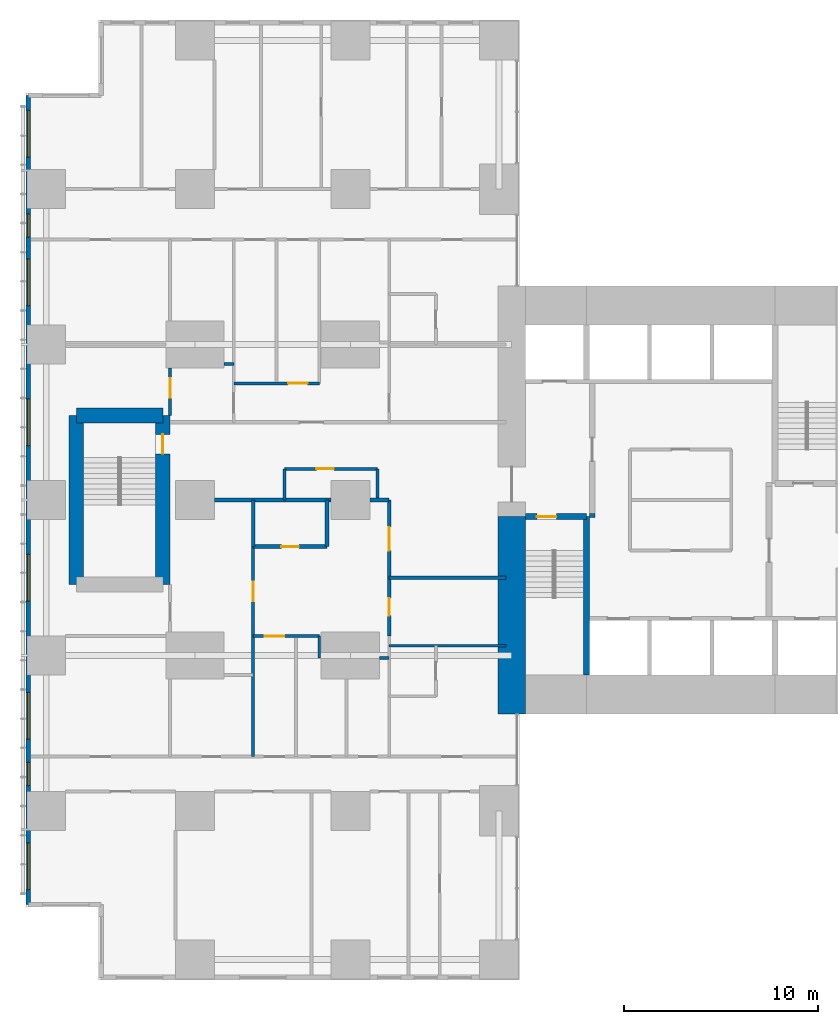
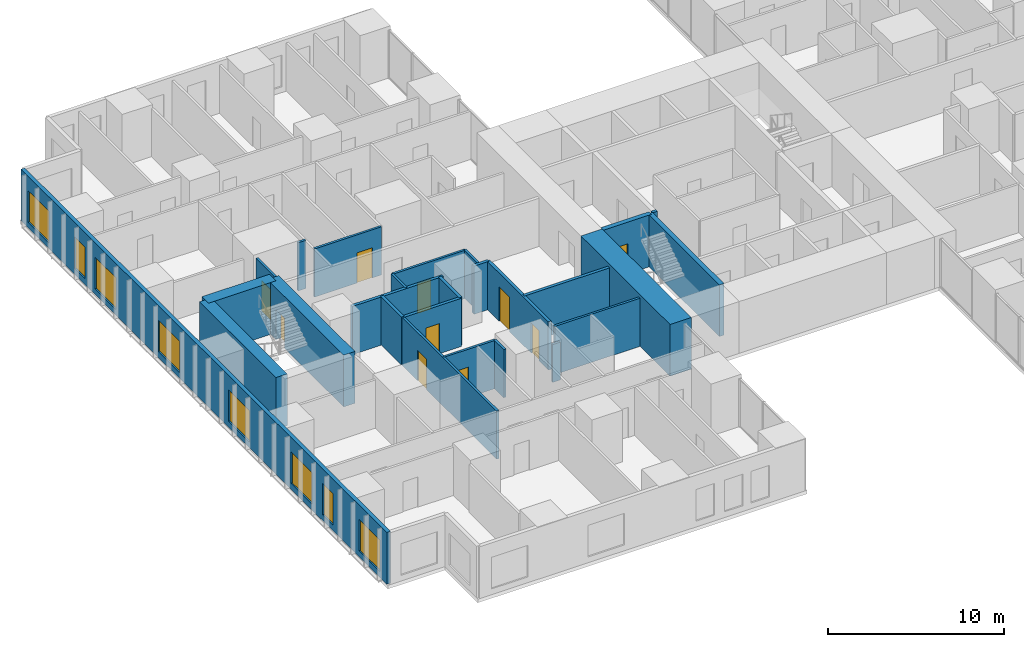
# One storey, part 13 of 20: 26 walls, 10 doors, 8 windows, 18 openings.
"""IFC4 building model written with IfcOpenShell, lengths in metres."""

from ifc_helpers import new_model, si_unit, direction, frame, frame_2d, origin, place, context, subcontext, project, spatial, rectangle, extrude, material, layer, layer_set, type_object, element, fill, save


model = new_model("IFC4")

# Units and contexts
model_context = context("Model", 3, precision=1e-05, world=origin(), true_north=direction((0.0, 1.0)))
body_context = subcontext(model_context, "Body", "Model", "MODEL_VIEW")
ifc_project = project(units=[si_unit("LENGTHUNIT", "METRE"), si_unit("AREAUNIT", "SQUARE_METRE"), si_unit("VOLUMEUNIT", "CUBIC_METRE"), si_unit("PLANEANGLEUNIT", "RADIAN"), si_unit("MASSUNIT", "GRAM", prefix="KILO")], contexts=[model_context])

# Site, building, storey
site_placement = place(None, origin())
site = spatial("IfcSite", under=ifc_project, at=site_placement, CompositionType="ELEMENT")
building_placement = place(site_placement, origin())
building = spatial("IfcBuilding", under=site, at=building_placement, Name="Cleftline Residences", CompositionType="ELEMENT")
storey_placement = place(building_placement, frame((0.0, 0.0, 99.800048828125)))
storey = spatial("IfcBuildingStorey", under=building, at=storey_placement, Name="L25", CompositionType="ELEMENT", Elevation=99.800048828125)

# Walls
ifc_material_1 = material(Name="Concrete B70", Category="concrete")
ifc_layer_1 = layer(ifc_material_1, 1.39990234375)
ifc_layer_set_1 = layer_set([ifc_layer_1], Name="CORE WALL 1400")
wall_type_1 = type_object("IfcWallType", Name="CORE WALL 1400", PredefinedType="SHEAR", material=ifc_layer_set_1)
wall_1_placement = place(storey_placement, frame((24.300048828125, 13.0, 0.0), z_axis=(0.0, 0.0, 1.0), x_axis=(0.0, 1.0, 0.0)))
element("IfcWall", 1, at=wall_1_placement, inside=storey, type_object=wall_type_1, Name="Core wall W0", PredefinedType="SHEAR", context=body_context, shape_type="SweptSolid", body=[
    extrude(rectangle(XDim=10.14990234375, YDim=1.39990234375, at=frame_2d((5.074951171875, 0.0))), origin(), (0.0, 0.0, 1.0), 3.599853515625),
])
ifc_material_2 = material(Name="Concrete B70", Category="concrete")
ifc_layer_2 = layer(ifc_material_2, 0.300048828125)
ifc_layer_set_2 = layer_set([ifc_layer_2], Name="CORE WALL 300")
wall_type_2 = type_object("IfcWallType", Name="CORE WALL 300", PredefinedType="SHEAR", material=ifc_layer_set_2)
wall_2_placement = place(storey_placement, frame((28.14990234375, 15.0, 0.0), z_axis=(0.0, 0.0, 1.0), x_axis=(0.0, 1.0, 0.0)))
element("IfcWall", 2, at=wall_2_placement, inside=storey, type_object=wall_type_2, Name="Core wall SA-E", PredefinedType="SHEAR", context=body_context, shape_type="SweptSolid", body=[
    extrude(rectangle(XDim=8.14990234375, YDim=0.300048828125, at=frame_2d((4.074951171875, 0.0))), origin(), (0.0, 0.0, 1.0), 3.599853515625),
])

# Wall, opening, door
wall_3_placement = place(storey_placement, frame((25.0, 23.14990234375, 0.0), z_axis=(0.0, 0.0, 1.0), x_axis=(1.0, 0.0, 0.0)))
wall_3 = element("IfcWall", 3, at=wall_3_placement, inside=storey, type_object=wall_type_2, Name="Core wall SA-N", PredefinedType="SHEAR", context=body_context, shape_type="SweptSolid", body=[
    extrude(rectangle(XDim=3.14990234375, YDim=0.300048828125, at=frame_2d((1.574951171875, 0.0))), origin(), (0.0, 0.0, 1.0), 3.599853515625),
])
opening_1_placement = place(wall_3_placement, frame((0.60009765625, 0.0, 0.0)))
opening_1 = element("IfcOpeningElement", 4, at=opening_1_placement, cuts=wall_3, Name="Opening D5", PredefinedType="OPENING", context=body_context, shape_type="SweptSolid", body=[
    extrude(rectangle(XDim=1.0, YDim=2.10009765625, at=frame_2d((0.5, 1.050048828125))), frame((0.0, 0.159912109375, 0.0), z_axis=(0.0, -1.0, 0.0), x_axis=(1.0, 0.0, 0.0)), (0.0, 0.0, 1.0), 0.320068359375),
])
ifc_material_3 = material(Name="Steel", Category="steel")
door_type_1 = type_object("IfcDoorType", Name="STAIR DOOR 1000X2100", OperationType="SINGLE_SWING_LEFT", PredefinedType="DOOR", material=ifc_material_3)
door_1_placement = place(opening_1_placement, origin())
door_1 = element("IfcDoor", 5, at=door_1_placement, inside=storey, type_object=door_type_1, Name="Stair A door", OperationType="SINGLE_SWING_RIGHT", OverallHeight=2.10009765625, OverallWidth=1.0, PredefinedType="DOOR", context=body_context, shape_type="SweptSolid", body=[
    extrude(rectangle(XDim=1.0, YDim=2.10009765625, at=frame_2d((0.5, 1.050048828125))), frame((0.0, 0.02490234375, 0.0), z_axis=(0.0, -1.0, 0.0), x_axis=(1.0, 0.0, 0.0)), (0.0, 0.0, 1.0), 0.050048828125),
])
fill(opening_1, door_1)

# Wall, openings, windows
ifc_material_4 = material(Name="Rendered reinforced concrete blockwork", Category="masonry")
ifc_layer_3 = layer(ifc_material_4, 0.25)
ifc_layer_set_3 = layer_set([ifc_layer_3], Name="EXTERNAL WALL 250")
wall_type_3 = type_object("IfcWallType", Name="EXTERNAL WALL 250", PredefinedType="SOLIDWALL", material=ifc_layer_set_3)
wall_4_placement = place(storey_placement, frame((-0.574951171875, 44.824951171875, 0.0), z_axis=(0.0, 0.0, 1.0), x_axis=(0.0, -1.0, 0.0)))
wall_4 = element("IfcWall", 6, at=wall_4_placement, inside=storey, type_object=wall_type_3, Name="External wall", PredefinedType="SOLIDWALL", context=body_context, shape_type="SweptSolid", body=[
    extrude(rectangle(XDim=41.64990234375, YDim=0.25, at=frame_2d((20.824951171875, 0.0))), origin(), (0.0, 0.0, 1.0), 3.599853515625),
])
opening_2_placement = place(wall_4_placement, frame((0.77490234375, 0.0, 0.39990234375)))
opening_2 = element("IfcOpeningElement", 7, at=opening_2_placement, cuts=wall_4, Name="Opening W12", PredefinedType="OPENING", context=body_context, shape_type="SweptSolid", body=[
    extrude(rectangle(XDim=2.39990234375, YDim=2.199951171875, at=frame_2d((1.199951171875, 1.10009765625))), frame((0.0, 0.135009765625, 0.0), z_axis=(0.0, -1.0, 0.0), x_axis=(1.0, 0.0, 0.0)), (0.0, 0.0, 1.0), 0.27001953125),
])
opening_3_placement = place(wall_4_placement, frame((6.10009765625, 0.0, 0.39990234375)))
opening_3 = element("IfcOpeningElement", 8, at=opening_3_placement, cuts=wall_4, Name="Opening W11", PredefinedType="OPENING", context=body_context, shape_type="SweptSolid", body=[
    extrude(rectangle(XDim=1.199951171875, YDim=2.199951171875, at=frame_2d((0.60009765625, 1.10009765625))), frame((0.0, 0.135009765625, 0.0), z_axis=(0.0, -1.0, 0.0), x_axis=(1.0, 0.0, 0.0)), (0.0, 0.0, 1.0), 0.27001953125),
])
opening_4_placement = place(wall_4_placement, frame((8.425048828125, 0.0, 0.39990234375)))
opening_4 = element("IfcOpeningElement", 9, at=opening_4_placement, cuts=wall_4, Name="Opening W12", PredefinedType="OPENING", context=body_context, shape_type="SweptSolid", body=[
    extrude(rectangle(XDim=2.39990234375, YDim=2.199951171875, at=frame_2d((1.199951171875, 1.10009765625))), frame((0.0, 0.135009765625, 0.0), z_axis=(0.0, -1.0, 0.0), x_axis=(1.0, 0.0, 0.0)), (0.0, 0.0, 1.0), 0.27001953125),
])
opening_5_placement = place(wall_4_placement, frame((15.625, 0.0, 0.39990234375)))
opening_5 = element("IfcOpeningElement", 10, at=opening_5_placement, cuts=wall_4, Name="Opening W12", PredefinedType="OPENING", context=body_context, shape_type="SweptSolid", body=[
    extrude(rectangle(XDim=2.39990234375, YDim=2.199951171875, at=frame_2d((1.199951171875, 1.10009765625))), frame((0.0, 0.135009765625, 0.0), z_axis=(0.0, -1.0, 0.0), x_axis=(1.0, 0.0, 0.0)), (0.0, 0.0, 1.0), 0.27001953125),
])
opening_6_placement = place(wall_4_placement, frame((23.625, 0.0, 0.39990234375)))
opening_6 = element("IfcOpeningElement", 11, at=opening_6_placement, cuts=wall_4, Name="Opening W12", PredefinedType="OPENING", context=body_context, shape_type="SweptSolid", body=[
    extrude(rectangle(XDim=2.39990234375, YDim=2.199951171875, at=frame_2d((1.199951171875, 1.10009765625))), frame((0.0, 0.135009765625, 0.0), z_axis=(0.0, -1.0, 0.0), x_axis=(1.0, 0.0, 0.0)), (0.0, 0.0, 1.0), 0.27001953125),
])
opening_7_placement = place(wall_4_placement, frame((30.72509765625, 0.0, 0.39990234375)))
opening_7 = element("IfcOpeningElement", 12, at=opening_7_placement, cuts=wall_4, Name="Opening W12", PredefinedType="OPENING", context=body_context, shape_type="SweptSolid", body=[
    extrude(rectangle(XDim=2.39990234375, YDim=2.199951171875, at=frame_2d((1.199951171875, 1.10009765625))), frame((0.0, 0.135009765625, 0.0), z_axis=(0.0, -1.0, 0.0), x_axis=(1.0, 0.0, 0.0)), (0.0, 0.0, 1.0), 0.27001953125),
])
opening_8_placement = place(wall_4_placement, frame((34.324951171875, 0.0, 0.39990234375)))
opening_8 = element("IfcOpeningElement", 13, at=opening_8_placement, cuts=wall_4, Name="Opening W11", PredefinedType="OPENING", context=body_context, shape_type="SweptSolid", body=[
    extrude(rectangle(XDim=1.199951171875, YDim=2.199951171875, at=frame_2d((0.60009765625, 1.10009765625))), frame((0.0, 0.135009765625, 0.0), z_axis=(0.0, -1.0, 0.0), x_axis=(1.0, 0.0, 0.0)), (0.0, 0.0, 1.0), 0.27001953125),
])
opening_9_placement = place(wall_4_placement, frame((38.47509765625, 0.0, 0.39990234375)))
opening_9 = element("IfcOpeningElement", 14, at=opening_9_placement, cuts=wall_4, Name="Opening W12", PredefinedType="OPENING", context=body_context, shape_type="SweptSolid", body=[
    extrude(rectangle(XDim=2.39990234375, YDim=2.199951171875, at=frame_2d((1.199951171875, 1.10009765625))), frame((0.0, 0.135009765625, 0.0), z_axis=(0.0, -1.0, 0.0), x_axis=(1.0, 0.0, 0.0)), (0.0, 0.0, 1.0), 0.27001953125),
])
ifc_material_5 = material(Name="Aluminium frame, clear double glazing", Category="aluminium")
window_type_1 = type_object("IfcWindowType", Name="WINDOW 1200X2200", PartitioningType="DOUBLE_PANEL_VERTICAL", PredefinedType="WINDOW", material=ifc_material_5)
window_1_placement = place(opening_3_placement, origin())
window_1 = element("IfcWindow", 15, at=window_1_placement, inside=storey, type_object=window_type_1, Name="Window", OverallHeight=2.199951171875, OverallWidth=1.199951171875, PartitioningType="SINGLE_PANEL", PredefinedType="WINDOW", context=body_context, shape_type="SweptSolid", body=[
    extrude(rectangle(XDim=1.199951171875, YDim=2.199951171875, at=frame_2d((0.60009765625, 1.10009765625))), frame((0.0, 0.030029296875, 0.0), z_axis=(0.0, -1.0, 0.0), x_axis=(1.0, 0.0, 0.0)), (0.0, 0.0, 1.0), 0.06005859375),
])
fill(opening_3, window_1)
window_2_placement = place(opening_8_placement, origin())
window_2 = element("IfcWindow", 16, at=window_2_placement, inside=storey, type_object=window_type_1, Name="Window", OverallHeight=2.199951171875, OverallWidth=1.199951171875, PartitioningType="SINGLE_PANEL", PredefinedType="WINDOW", context=body_context, shape_type="SweptSolid", body=[
    extrude(rectangle(XDim=1.199951171875, YDim=2.199951171875, at=frame_2d((0.60009765625, 1.10009765625))), frame((0.0, 0.030029296875, 0.0), z_axis=(0.0, -1.0, 0.0), x_axis=(1.0, 0.0, 0.0)), (0.0, 0.0, 1.0), 0.06005859375),
])
fill(opening_8, window_2)
ifc_material_6 = material(Name="Aluminium frame, clear double glazing", Category="aluminium")
window_type_2 = type_object("IfcWindowType", Name="WINDOW 2400X2200", PartitioningType="DOUBLE_PANEL_VERTICAL", PredefinedType="WINDOW", material=ifc_material_6)
window_3_placement = place(opening_2_placement, origin())
window_3 = element("IfcWindow", 17, at=window_3_placement, inside=storey, type_object=window_type_2, Name="Window", OverallHeight=2.199951171875, OverallWidth=2.39990234375, PartitioningType="SINGLE_PANEL", PredefinedType="WINDOW", context=body_context, shape_type="SweptSolid", body=[
    extrude(rectangle(XDim=2.39990234375, YDim=2.199951171875, at=frame_2d((1.199951171875, 1.10009765625))), frame((0.0, 0.030029296875, 0.0), z_axis=(0.0, -1.0, 0.0), x_axis=(1.0, 0.0, 0.0)), (0.0, 0.0, 1.0), 0.06005859375),
])
fill(opening_2, window_3)
window_4_placement = place(opening_4_placement, origin())
window_4 = element("IfcWindow", 18, at=window_4_placement, inside=storey, type_object=window_type_2, Name="Window", OverallHeight=2.199951171875, OverallWidth=2.39990234375, PartitioningType="SINGLE_PANEL", PredefinedType="WINDOW", context=body_context, shape_type="SweptSolid", body=[
    extrude(rectangle(XDim=2.39990234375, YDim=2.199951171875, at=frame_2d((1.199951171875, 1.10009765625))), frame((0.0, 0.030029296875, 0.0), z_axis=(0.0, -1.0, 0.0), x_axis=(1.0, 0.0, 0.0)), (0.0, 0.0, 1.0), 0.06005859375),
])
fill(opening_4, window_4)
window_5_placement = place(opening_5_placement, origin())
window_5 = element("IfcWindow", 19, at=window_5_placement, inside=storey, type_object=window_type_2, Name="Window", OverallHeight=2.199951171875, OverallWidth=2.39990234375, PartitioningType="SINGLE_PANEL", PredefinedType="WINDOW", context=body_context, shape_type="SweptSolid", body=[
    extrude(rectangle(XDim=2.39990234375, YDim=2.199951171875, at=frame_2d((1.199951171875, 1.10009765625))), frame((0.0, 0.030029296875, 0.0), z_axis=(0.0, -1.0, 0.0), x_axis=(1.0, 0.0, 0.0)), (0.0, 0.0, 1.0), 0.06005859375),
])
fill(opening_5, window_5)
window_6_placement = place(opening_6_placement, origin())
window_6 = element("IfcWindow", 20, at=window_6_placement, inside=storey, type_object=window_type_2, Name="Window", OverallHeight=2.199951171875, OverallWidth=2.39990234375, PartitioningType="SINGLE_PANEL", PredefinedType="WINDOW", context=body_context, shape_type="SweptSolid", body=[
    extrude(rectangle(XDim=2.39990234375, YDim=2.199951171875, at=frame_2d((1.199951171875, 1.10009765625))), frame((0.0, 0.030029296875, 0.0), z_axis=(0.0, -1.0, 0.0), x_axis=(1.0, 0.0, 0.0)), (0.0, 0.0, 1.0), 0.06005859375),
])
fill(opening_6, window_6)
window_7_placement = place(opening_7_placement, origin())
window_7 = element("IfcWindow", 21, at=window_7_placement, inside=storey, type_object=window_type_2, Name="Window", OverallHeight=2.199951171875, OverallWidth=2.39990234375, PartitioningType="SINGLE_PANEL", PredefinedType="WINDOW", context=body_context, shape_type="SweptSolid", body=[
    extrude(rectangle(XDim=2.39990234375, YDim=2.199951171875, at=frame_2d((1.199951171875, 1.10009765625))), frame((0.0, 0.030029296875, 0.0), z_axis=(0.0, -1.0, 0.0), x_axis=(1.0, 0.0, 0.0)), (0.0, 0.0, 1.0), 0.06005859375),
])
fill(opening_7, window_7)
window_8_placement = place(opening_9_placement, origin())
window_8 = element("IfcWindow", 22, at=window_8_placement, inside=storey, type_object=window_type_2, Name="Window", OverallHeight=2.199951171875, OverallWidth=2.39990234375, PartitioningType="SINGLE_PANEL", PredefinedType="WINDOW", context=body_context, shape_type="SweptSolid", body=[
    extrude(rectangle(XDim=2.39990234375, YDim=2.199951171875, at=frame_2d((1.199951171875, 1.10009765625))), frame((0.0, 0.030029296875, 0.0), z_axis=(0.0, -1.0, 0.0), x_axis=(1.0, 0.0, 0.0)), (0.0, 0.0, 1.0), 0.06005859375),
])
fill(opening_9, window_8)

# Wall
ifc_material_7 = material(Name="Concrete blockwork, fire rated", Category="masonry")
ifc_layer_4 = layer(ifc_material_7, 0.199951171875)
ifc_layer_set_4 = layer_set([ifc_layer_4], Name="FIRE WALL 200")
wall_type_4 = type_object("IfcWallType", Name="FIRE WALL 200", PredefinedType="PARTITIONING", material=ifc_layer_set_4)
wall_5_placement = place(storey_placement, frame((18.0, 20.0, 0.0), z_axis=(0.0, 0.0, 1.0), x_axis=(1.0, 0.0, 0.0)))
element("IfcWall", 23, at=wall_5_placement, inside=storey, type_object=wall_type_4, Name="Fire separating wall", PredefinedType="PARTITIONING", context=body_context, shape_type="SweptSolid", body=[
    extrude(rectangle(XDim=6.0, YDim=0.199951171875, at=frame_2d((3.0, 0.0))), origin(), (0.0, 0.0, 1.0), 3.349853515625),
])

# Wall, opening, door
wall_6_placement = place(storey_placement, frame((11.0, 21.60009765625, 0.0), z_axis=(0.0, 0.0, 1.0), x_axis=(1.0, 0.0, 0.0)))
wall_6 = element("IfcWall", 24, at=wall_6_placement, inside=storey, type_object=wall_type_4, Name="Fire separating wall", PredefinedType="PARTITIONING", context=body_context, shape_type="SweptSolid", body=[
    extrude(rectangle(XDim=3.800048828125, YDim=0.199951171875, at=frame_2d((1.89990234375, 0.0))), origin(), (0.0, 0.0, 1.0), 3.349853515625),
])
opening_10_placement = place(wall_6_placement, frame((1.449951171875, 0.0, 0.0)))
opening_10 = element("IfcOpeningElement", 25, at=opening_10_placement, cuts=wall_6, Name="Opening D1F30", PredefinedType="OPENING", context=body_context, shape_type="SweptSolid", body=[
    extrude(rectangle(XDim=0.89990234375, YDim=2.10009765625, at=frame_2d((0.449951171875, 1.050048828125))), frame((0.0, 0.10986328125, 0.0), z_axis=(0.0, -1.0, 0.0), x_axis=(1.0, 0.0, 0.0)), (0.0, 0.0, 1.0), 0.219970703125),
])
ifc_material_8 = material(Name="Timber veneer on solid core", Category="wood")
door_type_2 = type_object("IfcDoorType", Name="DOOR 900X2100 EI 30", OperationType="SINGLE_SWING_LEFT", PredefinedType="DOOR", material=ifc_material_8)
door_2_placement = place(opening_10_placement, origin())
door_2 = element("IfcDoor", 26, at=door_2_placement, inside=storey, type_object=door_type_2, Name="Door to cloakroom wc", OperationType="SINGLE_SWING_LEFT", OverallHeight=2.10009765625, OverallWidth=0.89990234375, PredefinedType="DOOR", context=body_context, shape_type="SweptSolid", body=[
    extrude(rectangle(XDim=0.89990234375, YDim=2.10009765625, at=frame_2d((0.449951171875, 1.050048828125))), frame((0.0, 0.02490234375, 0.0), z_axis=(0.0, -1.0, 0.0), x_axis=(1.0, 0.0, 0.0)), (0.0, 0.0, 1.0), 0.050048828125),
])
fill(opening_10, door_2)

# Walls
wall_7_placement = place(storey_placement, frame((9.0, 24.0, 0.0), z_axis=(0.0, 0.0, 1.0), x_axis=(1.0, 0.0, 0.0)))
element("IfcWall", 27, at=wall_7_placement, inside=storey, type_object=wall_type_4, Name="Fire separating wall", PredefinedType="PARTITIONING", context=body_context, shape_type="SweptSolid", body=[
    extrude(rectangle(XDim=6.0, YDim=0.199951171875, at=frame_2d((3.0, 0.0))), origin(), (0.0, 0.0, 1.0), 3.349853515625),
])
wall_8_placement = place(storey_placement, frame((17.0, 24.0, 0.0), z_axis=(0.0, 0.0, 1.0), x_axis=(1.0, 0.0, 0.0)))
element("IfcWall", 28, at=wall_8_placement, inside=storey, type_object=wall_type_4, Name="Fire separating wall", PredefinedType="PARTITIONING", context=body_context, shape_type="SweptSolid", body=[
    extrude(rectangle(XDim=1.0, YDim=0.199951171875, at=frame_2d((0.5, 0.0))), origin(), (0.0, 0.0, 1.0), 3.349853515625),
])
for number, where, z_axis, x_axis, name in (
    (29, (11.0, 21.60009765625, 0.0), (0.0, 0.0, 1.0), (0.0, 1.0, 0.0), "Fire separating wall"),
    (30, (14.800048828125, 21.60009765625, 0.0), (0.0, 0.0, 1.0), (0.0, 1.0, 0.0), "Fire separating wall"),
):
    element("IfcWall", number, at=place(storey_placement, frame(where, z_axis=z_axis, x_axis=x_axis)), inside=storey, type_object=wall_type_4, Name=name, PredefinedType="PARTITIONING", context=body_context, shape_type="SweptSolid", body=[
        extrude(rectangle(XDim=2.39990234375, YDim=0.199951171875, at=frame_2d((1.199951171875, 0.0))), origin(), (0.0, 0.0, 1.0), 3.349853515625),
    ])

# Wall, openings, doors
wall_9_placement = place(storey_placement, frame((18.0, 17.0, 0.0), z_axis=(0.0, 0.0, 1.0), x_axis=(0.0, 1.0, 0.0)))
wall_9 = element("IfcWall", 31, at=wall_9_placement, inside=storey, type_object=wall_type_4, Name="Fire separating wall", PredefinedType="PARTITIONING", context=body_context, shape_type="SweptSolid", body=[
    extrude(rectangle(XDim=7.0, YDim=0.199951171875, at=frame_2d((3.5, 0.0))), origin(), (0.0, 0.0, 1.0), 3.349853515625),
])
opening_11_placement = place(wall_9_placement, frame((4.39990234375, 0.0, 0.0)))
opening_11 = element("IfcOpeningElement", 32, at=opening_11_placement, cuts=wall_9, Name="Opening D4", PredefinedType="OPENING", context=body_context, shape_type="SweptSolid", body=[
    extrude(rectangle(XDim=1.199951171875, YDim=2.39990234375, at=frame_2d((0.60009765625, 1.199951171875))), frame((0.0, 0.10986328125, 0.0), z_axis=(0.0, -1.0, 0.0), x_axis=(1.0, 0.0, 0.0)), (0.0, 0.0, 1.0), 0.219970703125),
])
opening_12_placement = place(wall_9_placement, frame((1.050048828125, 0.0, 0.0)))
opening_12 = element("IfcOpeningElement", 33, at=opening_12_placement, cuts=wall_9, Name="Opening D1F30", PredefinedType="OPENING", context=body_context, shape_type="SweptSolid", body=[
    extrude(rectangle(XDim=0.89990234375, YDim=2.10009765625, at=frame_2d((0.449951171875, 1.050048828125))), frame((0.0, 0.10986328125, 0.0), z_axis=(0.0, -1.0, 0.0), x_axis=(1.0, 0.0, 0.0)), (0.0, 0.0, 1.0), 0.219970703125),
])
ifc_material_9 = material(Name="Timber veneer on solid core", Category="wood")
door_type_3 = type_object("IfcDoorType", Name="APARTMENT ENTRANCE DOOR 1200X2400", OperationType="SINGLE_SWING_RIGHT", PredefinedType="DOOR", material=ifc_material_9)
door_3_placement = place(opening_11_placement, origin())
door_3 = element("IfcDoor", 34, at=door_3_placement, inside=storey, type_object=door_type_3, Name="Door to residence entrance foyer", OperationType="SINGLE_SWING_LEFT", OverallHeight=2.39990234375, OverallWidth=1.199951171875, PredefinedType="DOOR", context=body_context, shape_type="SweptSolid", body=[
    extrude(rectangle(XDim=1.199951171875, YDim=2.39990234375, at=frame_2d((0.60009765625, 1.199951171875))), frame((0.0, 0.02490234375, 0.0), z_axis=(0.0, -1.0, 0.0), x_axis=(1.0, 0.0, 0.0)), (0.0, 0.0, 1.0), 0.050048828125),
])
fill(opening_11, door_3)
door_4_placement = place(opening_12_placement, origin())
door_4 = element("IfcDoor", 35, at=door_4_placement, inside=storey, type_object=door_type_2, Name="Door to laundry", OperationType="SINGLE_SWING_RIGHT", OverallHeight=2.10009765625, OverallWidth=0.89990234375, PredefinedType="DOOR", context=body_context, shape_type="SweptSolid", body=[
    extrude(rectangle(XDim=0.89990234375, YDim=2.10009765625, at=frame_2d((0.449951171875, 1.050048828125))), frame((0.0, 0.02490234375, 0.0), z_axis=(0.0, -1.0, 0.0), x_axis=(1.0, 0.0, 0.0)), (0.0, 0.0, 1.0), 0.050048828125),
])
fill(opening_12, door_4)

# Walls
wall_10_placement = place(storey_placement, frame((28.300048828125, 23.199951171875, 0.0), z_axis=(0.0, 0.0, 1.0), x_axis=(1.0, 0.0, 0.0)))
element("IfcWall", 36, at=wall_10_placement, inside=storey, type_object=wall_type_4, Name="Fire separating wall", PredefinedType="PARTITIONING", context=body_context, shape_type="SweptSolid", body=[
    extrude(rectangle(XDim=0.300048828125, YDim=0.199951171875, at=frame_2d((0.14990234375, 0.0))), origin(), (0.0, 0.0, 1.0), 3.599853515625),
])
ifc_material_10 = material(Name="Gypsum board on steel studs", Category="steel")
ifc_layer_5 = layer(ifc_material_10, 0.14990234375)
ifc_layer_set_5 = layer_set([ifc_layer_5], Name="PARTITION 150")
wall_type_5 = type_object("IfcWallType", Name="PARTITION 150", PredefinedType="PARTITIONING", material=ifc_layer_set_5)
wall_11_placement = place(storey_placement, frame((17.5, 15.875, 0.0), z_axis=(0.0, 0.0, 1.0), x_axis=(1.0, 0.0, 0.0)))
element("IfcWall", 37, at=wall_11_placement, inside=storey, type_object=wall_type_5, Name="Partition", PredefinedType="PARTITIONING", context=body_context, shape_type="SweptSolid", body=[
    extrude(rectangle(XDim=0.5, YDim=0.14990234375, at=frame_2d((0.25, 0.0))), origin(), (0.0, 0.0, 1.0), 2.634033203125),
])
wall_12_placement = place(storey_placement, frame((18.0, 16.5, 0.0), z_axis=(0.0, 0.0, 1.0), x_axis=(1.0, 0.0, 0.0)))
element("IfcWall", 38, at=wall_12_placement, inside=storey, type_object=wall_type_5, Name="Partition", PredefinedType="PARTITIONING", context=body_context, shape_type="SweptSolid", body=[
    extrude(rectangle(XDim=6.0, YDim=0.14990234375, at=frame_2d((3.0, 0.0))), origin(), (0.0, 0.0, 1.0), 3.349853515625),
])

# Wall, opening, door
wall_13_placement = place(storey_placement, frame((11.0, 17.0, 0.0), z_axis=(0.0, 0.0, 1.0), x_axis=(1.0, 0.0, 0.0)))
wall_13 = element("IfcWall", 39, at=wall_13_placement, inside=storey, type_object=wall_type_5, Name="Partition", PredefinedType="PARTITIONING", context=body_context, shape_type="SweptSolid", body=[
    extrude(rectangle(XDim=3.39990234375, YDim=0.14990234375, at=frame_2d((1.699951171875, 0.0))), origin(), (0.0, 0.0, 1.0), 3.349853515625),
])
opening_13_placement = place(wall_13_placement, frame((0.60009765625, 0.0, 0.0)))
opening_13 = element("IfcOpeningElement", 40, at=opening_13_placement, cuts=wall_13, Name="Opening D2", PredefinedType="OPENING", context=body_context, shape_type="SweptSolid", body=[
    extrude(rectangle(XDim=1.0, YDim=2.10009765625, at=frame_2d((0.5, 1.050048828125))), frame((0.0, 0.0849609375, 0.0), z_axis=(0.0, -1.0, 0.0), x_axis=(1.0, 0.0, 0.0)), (0.0, 0.0, 1.0), 0.169921875),
])
ifc_material_11 = material(Name="Timber veneer on solid core", Category="wood")
door_type_4 = type_object("IfcDoorType", Name="DOOR 1000X2100", OperationType="SINGLE_SWING_LEFT", PredefinedType="DOOR", material=ifc_material_11)
door_5_placement = place(opening_13_placement, origin())
door_5 = element("IfcDoor", 41, at=door_5_placement, inside=storey, type_object=door_type_4, Name="Door to residence passage", OperationType="SINGLE_SWING_RIGHT", OverallHeight=2.10009765625, OverallWidth=1.0, PredefinedType="DOOR", context=body_context, shape_type="SweptSolid", body=[
    extrude(rectangle(XDim=1.0, YDim=2.10009765625, at=frame_2d((0.5, 1.050048828125))), frame((0.0, 0.02490234375, 0.0), z_axis=(0.0, -1.0, 0.0), x_axis=(1.0, 0.0, 0.0)), (0.0, 0.0, 1.0), 0.050048828125),
])
fill(opening_13, door_5)

wall_14_placement = place(storey_placement, frame((12.60009765625, 25.60009765625, 0.0), z_axis=(0.0, 0.0, 1.0), x_axis=(1.0, 0.0, 0.0)))
wall_14 = element("IfcWall", 42, at=wall_14_placement, inside=storey, type_object=wall_type_5, Name="Partition", PredefinedType="PARTITIONING", context=body_context, shape_type="SweptSolid", body=[
    extrude(rectangle(XDim=4.7998046875, YDim=0.14990234375, at=frame_2d((2.39990234375, 0.0))), origin(), (0.0, 0.0, 1.0), 3.349853515625),
])
opening_14_placement = place(wall_14_placement, frame((1.64990234375, 0.0, 0.0)))
opening_14 = element("IfcOpeningElement", 43, at=opening_14_placement, cuts=wall_14, Name="Opening D1", PredefinedType="OPENING", context=body_context, shape_type="SweptSolid", body=[
    extrude(rectangle(XDim=0.89990234375, YDim=2.10009765625, at=frame_2d((0.449951171875, 1.050048828125))), frame((0.0, 0.0849609375, 0.0), z_axis=(0.0, -1.0, 0.0), x_axis=(1.0, 0.0, 0.0)), (0.0, 0.0, 1.0), 0.169921875),
])
ifc_material_12 = material(Name="Timber veneer on solid core", Category="wood")
door_type_5 = type_object("IfcDoorType", Name="DOOR 900X2100", OperationType="SINGLE_SWING_LEFT", PredefinedType="DOOR", material=ifc_material_12)
door_6_placement = place(opening_14_placement, origin())
door_6 = element("IfcDoor", 44, at=door_6_placement, inside=storey, type_object=door_type_5, Name="Door to bulky waste room", OperationType="SINGLE_SWING_RIGHT", OverallHeight=2.10009765625, OverallWidth=0.89990234375, PredefinedType="DOOR", context=body_context, shape_type="SweptSolid", body=[
    extrude(rectangle(XDim=0.89990234375, YDim=2.10009765625, at=frame_2d((0.449951171875, 1.050048828125))), frame((0.0, 0.02490234375, 0.0), z_axis=(0.0, -1.0, 0.0), x_axis=(1.0, 0.0, 0.0)), (0.0, 0.0, 1.0), 0.050048828125),
])
fill(opening_14, door_6)

wall_15_placement = place(storey_placement, frame((10.0, 30.0, 0.0), z_axis=(0.0, 0.0, 1.0), x_axis=(1.0, 0.0, 0.0)))
wall_15 = element("IfcWall", 45, at=wall_15_placement, inside=storey, type_object=wall_type_5, Name="Partition", PredefinedType="PARTITIONING", context=body_context, shape_type="SweptSolid", body=[
    extrude(rectangle(XDim=4.39990234375, YDim=0.14990234375, at=frame_2d((2.199951171875, 0.0))), origin(), (0.0, 0.0, 1.0), 3.349853515625),
])
opening_15_placement = place(wall_15_placement, frame((2.800048828125, 0.0, 0.0)))
opening_15 = element("IfcOpeningElement", 46, at=opening_15_placement, cuts=wall_15, Name="Opening D2", PredefinedType="OPENING", context=body_context, shape_type="SweptSolid", body=[
    extrude(rectangle(XDim=1.0, YDim=2.10009765625, at=frame_2d((0.5, 1.050048828125))), frame((0.0, 0.0849609375, 0.0), z_axis=(0.0, -1.0, 0.0), x_axis=(1.0, 0.0, 0.0)), (0.0, 0.0, 1.0), 0.169921875),
])
door_7_placement = place(opening_15_placement, origin())
door_7 = element("IfcDoor", 47, at=door_7_placement, inside=storey, type_object=door_type_4, Name="Door to residence passage", OperationType="SINGLE_SWING_LEFT", OverallHeight=2.10009765625, OverallWidth=1.0, PredefinedType="DOOR", context=body_context, shape_type="SweptSolid", body=[
    extrude(rectangle(XDim=1.0, YDim=2.10009765625, at=frame_2d((0.5, 1.050048828125))), frame((0.0, 0.02490234375, 0.0), z_axis=(0.0, -1.0, 0.0), x_axis=(1.0, 0.0, 0.0)), (0.0, 0.0, 1.0), 0.050048828125),
])
fill(opening_15, door_7)

# Wall
wall_16_placement = place(storey_placement, frame((9.5, 31.0, 0.0), z_axis=(0.0, 0.0, 1.0), x_axis=(1.0, 0.0, 0.0)))
element("IfcWall", 48, at=wall_16_placement, inside=storey, type_object=wall_type_5, Name="Partition", PredefinedType="PARTITIONING", context=body_context, shape_type="SweptSolid", body=[
    extrude(rectangle(XDim=0.5, YDim=0.14990234375, at=frame_2d((0.25, 0.0))), origin(), (0.0, 0.0, 1.0), 3.349853515625),
])

# Wall, opening, door
wall_17_placement = place(storey_placement, frame((6.72509765625, 28.35009765625, 0.0), z_axis=(0.0, 0.0, 1.0), x_axis=(0.0, 1.0, 0.0)))
wall_17 = element("IfcWall", 49, at=wall_17_placement, inside=storey, type_object=wall_type_5, Name="Partition", PredefinedType="PARTITIONING", context=body_context, shape_type="SweptSolid", body=[
    extrude(rectangle(XDim=2.449951171875, YDim=0.14990234375, at=frame_2d((1.22509765625, 0.0))), origin(), (0.0, 0.0, 1.0), 3.349853515625),
])
opening_16_placement = place(wall_17_placement, frame((0.91259765625, 0.0, 0.0)))
opening_16 = element("IfcOpeningElement", 50, at=opening_16_placement, cuts=wall_17, Name="Opening D2", PredefinedType="OPENING", context=body_context, shape_type="SweptSolid", body=[
    extrude(rectangle(XDim=1.0, YDim=2.10009765625, at=frame_2d((0.5, 1.050048828125))), frame((0.0, 0.0849609375, 0.0), z_axis=(0.0, -1.0, 0.0), x_axis=(1.0, 0.0, 0.0)), (0.0, 0.0, 1.0), 0.169921875),
])
door_8_placement = place(opening_16_placement, origin())
door_8 = element("IfcDoor", 51, at=door_8_placement, inside=storey, type_object=door_type_4, Name="Door to staff bedroom", OperationType="SINGLE_SWING_LEFT", OverallHeight=2.10009765625, OverallWidth=1.0, PredefinedType="DOOR", context=body_context, shape_type="SweptSolid", body=[
    extrude(rectangle(XDim=1.0, YDim=2.10009765625, at=frame_2d((0.5, 1.050048828125))), frame((0.0, 0.02490234375, 0.0), z_axis=(0.0, -1.0, 0.0), x_axis=(1.0, 0.0, 0.0)), (0.0, 0.0, 1.0), 0.050048828125),
])
fill(opening_16, door_8)

wall_18_placement = place(storey_placement, frame((11.0, 10.800048828125, 0.0), z_axis=(0.0, 0.0, 1.0), x_axis=(0.0, 1.0, 0.0)))
wall_18 = element("IfcWall", 52, at=wall_18_placement, inside=storey, type_object=wall_type_5, Name="Partition", PredefinedType="PARTITIONING", context=body_context, shape_type="SweptSolid", body=[
    extrude(rectangle(XDim=10.800048828125, YDim=0.14990234375, at=frame_2d((5.39990234375, 0.0))), origin(), (0.0, 0.0, 1.0), 3.349853515625),
])
opening_17_placement = place(wall_18_placement, frame((8.0, 0.0, 0.0)))
opening_17 = element("IfcOpeningElement", 53, at=opening_17_placement, cuts=wall_18, Name="Opening D2F30", PredefinedType="OPENING", context=body_context, shape_type="SweptSolid", body=[
    extrude(rectangle(XDim=1.0, YDim=2.10009765625, at=frame_2d((0.5, 1.050048828125))), frame((0.0, 0.0849609375, 0.0), z_axis=(0.0, -1.0, 0.0), x_axis=(1.0, 0.0, 0.0)), (0.0, 0.0, 1.0), 0.169921875),
])
ifc_material_13 = material(Name="Timber veneer on solid core", Category="wood")
door_type_6 = type_object("IfcDoorType", Name="DOOR 1000X2100 EI 30", OperationType="SINGLE_SWING_LEFT", PredefinedType="DOOR", material=ifc_material_13)
door_9_placement = place(opening_17_placement, origin())
door_9 = element("IfcDoor", 54, at=door_9_placement, inside=storey, type_object=door_type_6, Name="Door to residence lobby", OperationType="SINGLE_SWING_LEFT", OverallHeight=2.10009765625, OverallWidth=1.0, PredefinedType="DOOR", context=body_context, shape_type="SweptSolid", body=[
    extrude(rectangle(XDim=1.0, YDim=2.10009765625, at=frame_2d((0.5, 1.050048828125))), frame((0.0, 0.02490234375, 0.0), z_axis=(0.0, -1.0, 0.0), x_axis=(1.0, 0.0, 0.0)), (0.0, 0.0, 1.0), 0.050048828125),
])
fill(opening_17, door_9)

# Walls
wall_19_placement = place(storey_placement, frame((12.60009765625, 24.0, 0.0), z_axis=(0.0, 0.0, 1.0), x_axis=(0.0, 1.0, 0.0)))
element("IfcWall", 55, at=wall_19_placement, inside=storey, type_object=wall_type_5, Name="Partition", PredefinedType="PARTITIONING", context=body_context, shape_type="SweptSolid", body=[
    extrude(rectangle(XDim=1.60009765625, YDim=0.14990234375, at=frame_2d((0.800048828125, 0.0))), origin(), (0.0, 0.0, 1.0), 3.349853515625),
])
wall_20_placement = place(storey_placement, frame((14.39990234375, 15.875, 0.0), z_axis=(0.0, 0.0, 1.0), x_axis=(0.0, 1.0, 0.0)))
element("IfcWall", 56, at=wall_20_placement, inside=storey, type_object=wall_type_5, Name="Partition", PredefinedType="PARTITIONING", context=body_context, shape_type="SweptSolid", body=[
    extrude(rectangle(XDim=1.125, YDim=0.14990234375, at=frame_2d((0.5625, 0.0))), origin(), (0.0, 0.0, 1.0), 3.349853515625),
])
wall_21_placement = place(storey_placement, frame((17.39990234375, 24.0, 0.0), z_axis=(0.0, 0.0, 1.0), x_axis=(0.0, 1.0, 0.0)))
element("IfcWall", 57, at=wall_21_placement, inside=storey, type_object=wall_type_5, Name="Partition", PredefinedType="PARTITIONING", context=body_context, shape_type="SweptSolid", body=[
    extrude(rectangle(XDim=1.60009765625, YDim=0.14990234375, at=frame_2d((0.800048828125, 0.0))), origin(), (0.0, 0.0, 1.0), 3.349853515625),
])

# Wall, opening, door
ifc_material_14 = material(Name="Concrete B70", Category="concrete")
ifc_layer_6 = layer(ifc_material_14, 0.75)
ifc_layer_set_6 = layer_set([ifc_layer_6], Name="SHEAR WALL 750")
wall_type_6 = type_object("IfcWallType", Name="SHEAR WALL 750", PredefinedType="SHEAR", material=ifc_layer_set_6)
wall_22_placement = place(storey_placement, frame((6.35009765625, 19.64990234375, 0.0), z_axis=(0.0, 0.0, 1.0), x_axis=(0.0, 1.0, 0.0)))
wall_22 = element("IfcWall", 58, at=wall_22_placement, inside=storey, type_object=wall_type_6, Name="Wing shear wall", PredefinedType="SHEAR", context=body_context, shape_type="SweptSolid", body=[
    extrude(rectangle(XDim=8.7001953125, YDim=0.75, at=frame_2d((4.35009765625, 0.0))), origin(), (0.0, 0.0, 1.0), 3.599853515625),
])
opening_18_placement = place(wall_22_placement, frame((6.72509765625, 0.0, 0.0)))
opening_18 = element("IfcOpeningElement", 59, at=opening_18_placement, cuts=wall_22, Name="Opening D5", PredefinedType="OPENING", context=body_context, shape_type="SweptSolid", body=[
    extrude(rectangle(XDim=1.0, YDim=2.10009765625, at=frame_2d((0.5, 1.050048828125))), frame((0.0, 0.385009765625, 0.0), z_axis=(0.0, -1.0, 0.0), x_axis=(1.0, 0.0, 0.0)), (0.0, 0.0, 1.0), 0.77001953125),
])
door_10_placement = place(opening_18_placement, origin())
door_10 = element("IfcDoor", 60, at=door_10_placement, inside=storey, type_object=door_type_1, Name="Stair W door", OperationType="SINGLE_SWING_LEFT", OverallHeight=2.10009765625, OverallWidth=1.0, PredefinedType="DOOR", context=body_context, shape_type="SweptSolid", body=[
    extrude(rectangle(XDim=1.0, YDim=2.10009765625, at=frame_2d((0.5, 1.050048828125))), frame((0.0, 0.02490234375, 0.0), z_axis=(0.0, -1.0, 0.0), x_axis=(1.0, 0.0, 0.0)), (0.0, 0.0, 1.0), 0.050048828125),
])
fill(opening_18, door_10)

# Walls
wall_23_placement = place(storey_placement, frame((6.35009765625, 28.35009765625, 0.0), z_axis=(0.0, 0.0, 1.0), x_axis=(-1.0, 0.0, 0.0)))
element("IfcWall", 61, at=wall_23_placement, inside=storey, type_object=wall_type_6, Name="Wing shear wall", PredefinedType="SHEAR", context=body_context, shape_type="SweptSolid", body=[
    extrude(rectangle(XDim=4.4501953125, YDim=0.75, at=frame_2d((2.22509765625, 0.0))), origin(), (0.0, 0.0, 1.0), 3.599853515625),
])
wall_24_placement = place(storey_placement, frame((1.89990234375, 28.35009765625, 0.0), z_axis=(0.0, 0.0, 1.0), x_axis=(0.0, -1.0, 0.0)))
element("IfcWall", 62, at=wall_24_placement, inside=storey, type_object=wall_type_6, Name="Wing shear wall", PredefinedType="SHEAR", context=body_context, shape_type="SweptSolid", body=[
    extrude(rectangle(XDim=8.7001953125, YDim=0.75, at=frame_2d((4.35009765625, 0.0))), origin(), (0.0, 0.0, 1.0), 3.599853515625),
])

save(model, "model.ifc")
